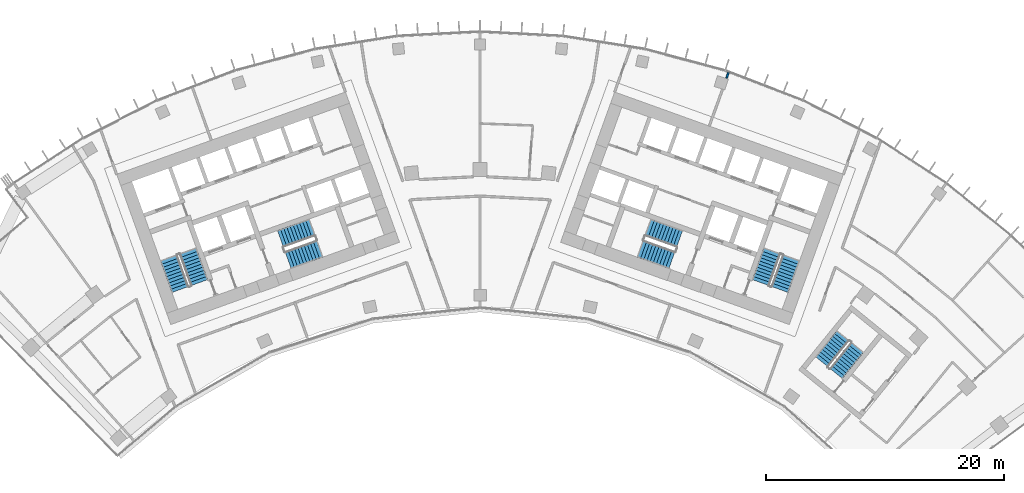
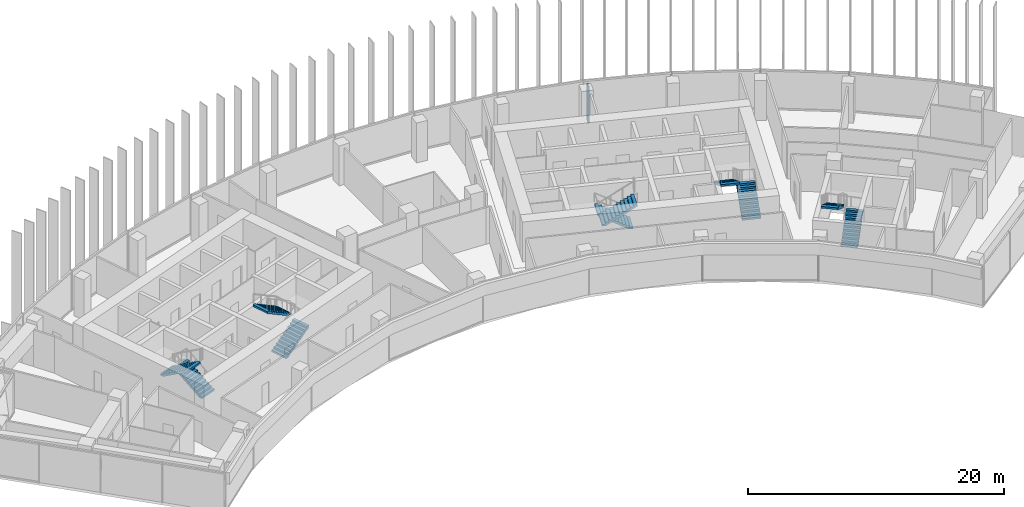
# One storey, part 18 of 19: 10 stair flights, 1 wall, 5 elements without a shape of their own.
"""IFC4 building model written with IfcOpenShell, lengths in metres."""

from ifc_helpers import new_model, si_unit, direction, frame, frame_2d, origin, place, context, subcontext, project, spatial, polyline, rectangle, outline, extrude, material, layer, layer_set, type_object, element, aggregate, save


model = new_model("IFC4")

# Units and contexts
model_context = context("Model", 3, precision=1e-05, world=origin(), true_north=direction((0.0, 1.0)))
body_context = subcontext(model_context, "Body", "Model", "MODEL_VIEW")
ifc_project = project(units=[si_unit("LENGTHUNIT", "METRE"), si_unit("AREAUNIT", "SQUARE_METRE"), si_unit("VOLUMEUNIT", "CUBIC_METRE"), si_unit("PLANEANGLEUNIT", "RADIAN"), si_unit("MASSUNIT", "GRAM", prefix="KILO")], contexts=[model_context])

# Site, building, storey
site_placement = place(None, origin())
site = spatial("IfcSite", under=ifc_project, at=site_placement, CompositionType="ELEMENT")
building_placement = place(site_placement, origin())
building = spatial("IfcBuilding", under=site, at=building_placement, Name="Stone Belt Terrace Tower", CompositionType="ELEMENT")
storey_placement = place(building_placement, frame((0.0, 0.0, 223.800048828125)))
storey = spatial("IfcBuildingStorey", under=building, at=storey_placement, Name="L54", CompositionType="ELEMENT", Elevation=223.800048828125)

# Wall
ifc_material_1 = material(Name="Gypsum board partition")
ifc_layer = layer(ifc_material_1, 0.14990234375)
ifc_layer_set = layer_set([ifc_layer], Name="PARTITION 150 EI 60")
wall_type = type_object("IfcWallType", Name="PARTITION 150 EI 60", PredefinedType="PARTITIONING", material=ifc_layer_set)
wall_placement = place(storey_placement, frame((20.850830078125, 63.129150390625, 0.0), z_axis=(0.0, 0.0, 1.0), x_axis=(-0.338454301599, -0.940982829667, 0.0)))
element("IfcWall", 1, at=wall_placement, inside=storey, type_object=wall_type, Name="L54/wall/i030", PredefinedType="PARTITIONING", context=body_context, shape_type="SweptSolid", body=[
    extrude(rectangle(XDim=0.489013671875, YDim=0.14990234375, at=frame_2d((0.24462890625, 0.0))), origin(), (0.0, 0.0, 1.0), 3.47998046875),
])

# Stair, stair flights
ifc_material_2 = material(Name="Concrete B40", Category="concrete")
stair_type = type_object("IfcStairType", Name="Exit stair 1500", PredefinedType="HALF_TURN_STAIR", material=ifc_material_2)
stair_1_placement = place(storey_placement, origin())
stair_1 = element("IfcStair", 2, at=stair_1_placement, inside=storey, type_object=stair_type, Name="L54 Exit stair 1 core A", PredefinedType="HALF_TURN_STAIR")
stair_flight_type = type_object("IfcStairFlightType", Name="Stair flight 1500", PredefinedType="STRAIGHT", material=ifc_material_2)
stair_flight_1_placement = place(storey_placement, frame((-23.55322265625, 45.51318359375, 0.0), z_axis=(0.0, 0.0, 1.0), x_axis=(-0.338624396177, 0.940921632398, 0.0)))
stair_flight_1 = element("IfcStairFlight", 3, at=stair_flight_1_placement, type_object=stair_flight_type, Name="ST1A flight 1", NumberOfRisers=11, NumberOfTreads=10, PredefinedType="STRAIGHT", RiserHeight=0.172727273, TreadLength=0.28, context=body_context, shape_type="SweptSolid", body=[
    extrude(outline(polyline([(0.0, 0.0), (0.0, 0.172607421875), (0.280029296875, 0.172607421875), (0.280029296875, 0.345458984375), (0.56005859375, 0.345458984375), (0.56005859375, 0.51806640625), (0.840087890625, 0.51806640625), (0.840087890625, 0.69091796875), (1.1201171875, 0.69091796875), (1.1201171875, 0.863525390625), (1.39990234375, 0.863525390625), (1.39990234375, 1.036376953125), (1.679931640625, 1.036376953125), (1.679931640625, 1.208984375), (1.9599609375, 1.208984375), (1.9599609375, 1.3818359375), (2.239990234375, 1.3818359375), (2.239990234375, 1.554443359375), (2.52001953125, 1.554443359375), (2.52001953125, 1.727294921875), (2.800048828125, 1.727294921875), (2.800048828125, 1.89990234375), (2.800048828125, 1.551025390625), (0.285400390625, 0.0), (0.0, 0.0)])), frame((0.0, 0.75, 0.0), z_axis=(0.0, -1.0, 0.0), x_axis=(1.0, 0.0, 0.0)), (0.0, 0.0, 1.0), 1.5),
])
stair_flight_2_placement = place(storey_placement, frame((-26.10107421875, 47.572021484375, 1.89990234375), z_axis=(0.0, 0.0, 1.0), x_axis=(0.338624396177, -0.940921632398, 0.0)))
stair_flight_2 = element("IfcStairFlight", 4, at=stair_flight_2_placement, type_object=stair_flight_type, Name="ST1A flight 2", NumberOfRisers=11, NumberOfTreads=10, PredefinedType="STRAIGHT", RiserHeight=0.172727273, TreadLength=0.28, context=body_context, shape_type="SweptSolid", body=[
    extrude(outline(polyline([(0.0, 0.0), (0.0, 0.172607421875), (0.280029296875, 0.172607421875), (0.280029296875, 0.345458984375), (0.56005859375, 0.345458984375), (0.56005859375, 0.51806640625), (0.840087890625, 0.51806640625), (0.840087890625, 0.69091796875), (1.1201171875, 0.69091796875), (1.1201171875, 0.863525390625), (1.39990234375, 0.863525390625), (1.39990234375, 1.036376953125), (1.679931640625, 1.036376953125), (1.679931640625, 1.208984375), (1.9599609375, 1.208984375), (1.9599609375, 1.3818359375), (2.239990234375, 1.3818359375), (2.239990234375, 1.554443359375), (2.52001953125, 1.554443359375), (2.52001953125, 1.727294921875), (2.800048828125, 1.727294921875), (2.800048828125, 1.89990234375), (2.800048828125, 1.551025390625), (0.285400390625, 0.0), (0.0, 0.0)])), frame((0.0, 0.75, 0.0), z_axis=(0.0, -1.0, 0.0), x_axis=(1.0, 0.0, 0.0)), (0.0, 0.0, 1.0), 1.5),
])
aggregate(stair_1, [stair_flight_1, stair_flight_2])

stair_2_placement = place(storey_placement, origin())
stair_2 = element("IfcStair", 5, at=stair_2_placement, inside=storey, type_object=stair_type, Name="L54 Exit stair 2 core A", PredefinedType="HALF_TURN_STAIR")
stair_flight_3_placement = place(storey_placement, frame((-16.101318359375, 47.39794921875, 0.0), z_axis=(0.0, 0.0, 1.0), x_axis=(0.940921632398, 0.338624396177, 0.0)))
stair_flight_3 = element("IfcStairFlight", 6, at=stair_flight_3_placement, type_object=stair_flight_type, Name="ST2A flight 1", NumberOfRisers=11, NumberOfTreads=10, PredefinedType="STRAIGHT", RiserHeight=0.172727273, TreadLength=0.28, context=body_context, shape_type="SweptSolid", body=[
    extrude(outline(polyline([(0.0, 0.0), (0.0, 0.172607421875), (0.280029296875, 0.172607421875), (0.280029296875, 0.345458984375), (0.56005859375, 0.345458984375), (0.56005859375, 0.51806640625), (0.840087890625, 0.51806640625), (0.840087890625, 0.69091796875), (1.1201171875, 0.69091796875), (1.1201171875, 0.863525390625), (1.39990234375, 0.863525390625), (1.39990234375, 1.036376953125), (1.679931640625, 1.036376953125), (1.679931640625, 1.208984375), (1.9599609375, 1.208984375), (1.9599609375, 1.3818359375), (2.239990234375, 1.3818359375), (2.239990234375, 1.554443359375), (2.52001953125, 1.554443359375), (2.52001953125, 1.727294921875), (2.800048828125, 1.727294921875), (2.800048828125, 1.89990234375), (2.800048828125, 1.551025390625), (0.285400390625, 0.0), (0.0, 0.0)])), frame((0.0, 0.75, 0.0), z_axis=(0.0, -1.0, 0.0), x_axis=(1.0, 0.0, 0.0)), (0.0, 0.0, 1.0), 1.5),
])
stair_flight_4_placement = place(storey_placement, frame((-14.110107421875, 50.1337890625, 1.89990234375), z_axis=(0.0, 0.0, 1.0), x_axis=(-0.940921632398, -0.338624396177, 0.0)))
stair_flight_4 = element("IfcStairFlight", 7, at=stair_flight_4_placement, type_object=stair_flight_type, Name="ST2A flight 2", NumberOfRisers=11, NumberOfTreads=10, PredefinedType="STRAIGHT", RiserHeight=0.172727273, TreadLength=0.28, context=body_context, shape_type="SweptSolid", body=[
    extrude(outline(polyline([(0.0, 0.0), (0.0, 0.172607421875), (0.280029296875, 0.172607421875), (0.280029296875, 0.345458984375), (0.56005859375, 0.345458984375), (0.56005859375, 0.51806640625), (0.840087890625, 0.51806640625), (0.840087890625, 0.69091796875), (1.1201171875, 0.69091796875), (1.1201171875, 0.863525390625), (1.39990234375, 0.863525390625), (1.39990234375, 1.036376953125), (1.679931640625, 1.036376953125), (1.679931640625, 1.208984375), (1.9599609375, 1.208984375), (1.9599609375, 1.3818359375), (2.239990234375, 1.3818359375), (2.239990234375, 1.554443359375), (2.52001953125, 1.554443359375), (2.52001953125, 1.727294921875), (2.800048828125, 1.727294921875), (2.800048828125, 1.89990234375), (2.800048828125, 1.551025390625), (0.285400390625, 0.0), (0.0, 0.0)])), frame((0.0, 0.75, 0.0), z_axis=(0.0, -1.0, 0.0), x_axis=(1.0, 0.0, 0.0)), (0.0, 0.0, 1.0), 1.5),
])
aggregate(stair_2, [stair_flight_3, stair_flight_4])

stair_3_placement = place(storey_placement, origin())
stair_3 = element("IfcStair", 8, at=stair_3_placement, inside=storey, type_object=stair_type, Name="L54 Exit stair 1 core B", PredefinedType="HALF_TURN_STAIR")
stair_flight_5_placement = place(storey_placement, frame((25.15283203125, 44.9375, 0.0), z_axis=(0.0, 0.0, 1.0), x_axis=(0.338624396177, 0.940921632398, 0.0)))
stair_flight_5 = element("IfcStairFlight", 9, at=stair_flight_5_placement, type_object=stair_flight_type, Name="ST1B flight 1", NumberOfRisers=11, NumberOfTreads=10, PredefinedType="STRAIGHT", RiserHeight=0.172727273, TreadLength=0.28, context=body_context, shape_type="SweptSolid", body=[
    extrude(outline(polyline([(0.0, 0.0), (0.0, 0.172607421875), (0.280029296875, 0.172607421875), (0.280029296875, 0.345458984375), (0.56005859375, 0.345458984375), (0.56005859375, 0.51806640625), (0.840087890625, 0.51806640625), (0.840087890625, 0.69091796875), (1.1201171875, 0.69091796875), (1.1201171875, 0.863525390625), (1.39990234375, 0.863525390625), (1.39990234375, 1.036376953125), (1.679931640625, 1.036376953125), (1.679931640625, 1.208984375), (1.9599609375, 1.208984375), (1.9599609375, 1.3818359375), (2.239990234375, 1.3818359375), (2.239990234375, 1.554443359375), (2.52001953125, 1.554443359375), (2.52001953125, 1.727294921875), (2.800048828125, 1.727294921875), (2.800048828125, 1.89990234375), (2.800048828125, 1.551025390625), (0.285400390625, 0.0), (0.0, 0.0)])), frame((0.0, 0.75, 0.0), z_axis=(0.0, -1.0, 0.0), x_axis=(1.0, 0.0, 0.0)), (0.0, 0.0, 1.0), 1.5),
])
stair_flight_6_placement = place(storey_placement, frame((24.50146484375, 48.147705078125, 1.89990234375), z_axis=(0.0, 0.0, 1.0), x_axis=(-0.338624396177, -0.940921632398, 0.0)))
stair_flight_6 = element("IfcStairFlight", 10, at=stair_flight_6_placement, type_object=stair_flight_type, Name="ST1B flight 2", NumberOfRisers=11, NumberOfTreads=10, PredefinedType="STRAIGHT", RiserHeight=0.172727273, TreadLength=0.28, context=body_context, shape_type="SweptSolid", body=[
    extrude(outline(polyline([(0.0, 0.0), (0.0, 0.172607421875), (0.280029296875, 0.172607421875), (0.280029296875, 0.345458984375), (0.56005859375, 0.345458984375), (0.56005859375, 0.51806640625), (0.840087890625, 0.51806640625), (0.840087890625, 0.69091796875), (1.1201171875, 0.69091796875), (1.1201171875, 0.863525390625), (1.39990234375, 0.863525390625), (1.39990234375, 1.036376953125), (1.679931640625, 1.036376953125), (1.679931640625, 1.208984375), (1.9599609375, 1.208984375), (1.9599609375, 1.3818359375), (2.239990234375, 1.3818359375), (2.239990234375, 1.554443359375), (2.52001953125, 1.554443359375), (2.52001953125, 1.727294921875), (2.800048828125, 1.727294921875), (2.800048828125, 1.89990234375), (2.800048828125, 1.551025390625), (0.285400390625, 0.0), (0.0, 0.0)])), frame((0.0, 0.75, 0.0), z_axis=(0.0, -1.0, 0.0), x_axis=(1.0, 0.0, 0.0)), (0.0, 0.0, 1.0), 1.5),
])
aggregate(stair_3, [stair_flight_5, stair_flight_6])

stair_4_placement = place(storey_placement, origin())
stair_4 = element("IfcStair", 11, at=stair_4_placement, inside=storey, type_object=stair_type, Name="L54 Exit stair 2 core B", PredefinedType="HALF_TURN_STAIR")
stair_flight_7_placement = place(storey_placement, frame((16.74462890625, 49.185546875, 0.0), z_axis=(0.0, 0.0, 1.0), x_axis=(-0.940921632398, 0.338624396177, 0.0)))
stair_flight_7 = element("IfcStairFlight", 12, at=stair_flight_7_placement, type_object=stair_flight_type, Name="ST2B flight 1", NumberOfRisers=11, NumberOfTreads=10, PredefinedType="STRAIGHT", RiserHeight=0.172727273, TreadLength=0.28, context=body_context, shape_type="SweptSolid", body=[
    extrude(outline(polyline([(0.0, 0.0), (0.0, 0.172607421875), (0.280029296875, 0.172607421875), (0.280029296875, 0.345458984375), (0.56005859375, 0.345458984375), (0.56005859375, 0.51806640625), (0.840087890625, 0.51806640625), (0.840087890625, 0.69091796875), (1.1201171875, 0.69091796875), (1.1201171875, 0.863525390625), (1.39990234375, 0.863525390625), (1.39990234375, 1.036376953125), (1.679931640625, 1.036376953125), (1.679931640625, 1.208984375), (1.9599609375, 1.208984375), (1.9599609375, 1.3818359375), (2.239990234375, 1.3818359375), (2.239990234375, 1.554443359375), (2.52001953125, 1.554443359375), (2.52001953125, 1.727294921875), (2.800048828125, 1.727294921875), (2.800048828125, 1.89990234375), (2.800048828125, 1.551025390625), (0.285400390625, 0.0), (0.0, 0.0)])), frame((0.0, 0.75, 0.0), z_axis=(0.0, -1.0, 0.0), x_axis=(1.0, 0.0, 0.0)), (0.0, 0.0, 1.0), 1.5),
])
stair_flight_8_placement = place(storey_placement, frame((13.466796875, 48.345947265625, 1.89990234375), z_axis=(0.0, 0.0, 1.0), x_axis=(0.940921632398, -0.338624396177, 0.0)))
stair_flight_8 = element("IfcStairFlight", 13, at=stair_flight_8_placement, type_object=stair_flight_type, Name="ST2B flight 2", NumberOfRisers=11, NumberOfTreads=10, PredefinedType="STRAIGHT", RiserHeight=0.172727273, TreadLength=0.28, context=body_context, shape_type="SweptSolid", body=[
    extrude(outline(polyline([(0.0, 0.0), (0.0, 0.172607421875), (0.280029296875, 0.172607421875), (0.280029296875, 0.345458984375), (0.56005859375, 0.345458984375), (0.56005859375, 0.51806640625), (0.840087890625, 0.51806640625), (0.840087890625, 0.69091796875), (1.1201171875, 0.69091796875), (1.1201171875, 0.863525390625), (1.39990234375, 0.863525390625), (1.39990234375, 1.036376953125), (1.679931640625, 1.036376953125), (1.679931640625, 1.208984375), (1.9599609375, 1.208984375), (1.9599609375, 1.3818359375), (2.239990234375, 1.3818359375), (2.239990234375, 1.554443359375), (2.52001953125, 1.554443359375), (2.52001953125, 1.727294921875), (2.800048828125, 1.727294921875), (2.800048828125, 1.89990234375), (2.800048828125, 1.551025390625), (0.285400390625, 0.0), (0.0, 0.0)])), frame((0.0, 0.75, 0.0), z_axis=(0.0, -1.0, 0.0), x_axis=(1.0, 0.0, 0.0)), (0.0, 0.0, 1.0), 1.5),
])
aggregate(stair_4, [stair_flight_7, stair_flight_8])

stair_5_placement = place(storey_placement, origin())
stair_5 = element("IfcStair", 14, at=stair_5_placement, inside=storey, type_object=stair_type, Name="L54 Exit stair 3B", PredefinedType="HALF_TURN_STAIR")
stair_flight_9_placement = place(storey_placement, frame((29.88330078125, 37.887939453125, 0.0), z_axis=(0.0, 0.0, 1.0), x_axis=(0.630205749599, 0.776428176441, 0.0)))
stair_flight_9 = element("IfcStairFlight", 15, at=stair_flight_9_placement, type_object=stair_flight_type, Name="ST3B flight 1", NumberOfRisers=11, NumberOfTreads=10, PredefinedType="STRAIGHT", RiserHeight=0.172727273, TreadLength=0.28, context=body_context, shape_type="SweptSolid", body=[
    extrude(outline(polyline([(0.0, 0.0), (0.0, 0.172607421875), (0.280029296875, 0.172607421875), (0.280029296875, 0.345458984375), (0.56005859375, 0.345458984375), (0.56005859375, 0.51806640625), (0.840087890625, 0.51806640625), (0.840087890625, 0.69091796875), (1.1201171875, 0.69091796875), (1.1201171875, 0.863525390625), (1.39990234375, 0.863525390625), (1.39990234375, 1.036376953125), (1.679931640625, 1.036376953125), (1.679931640625, 1.208984375), (1.9599609375, 1.208984375), (1.9599609375, 1.3818359375), (2.239990234375, 1.3818359375), (2.239990234375, 1.554443359375), (2.52001953125, 1.554443359375), (2.52001953125, 1.727294921875), (2.800048828125, 1.727294921875), (2.800048828125, 1.89990234375), (2.800048828125, 1.551025390625), (0.285400390625, 0.0), (0.0, 0.0)])), frame((0.0, 0.675048828125, 0.0), z_axis=(0.0, -1.0, 0.0), x_axis=(1.0, 0.0, 0.0)), (0.0, 0.0, 1.0), 1.35009765625),
])
stair_flight_10_placement = place(storey_placement, frame((30.4443359375, 41.038818359375, 1.89990234375), z_axis=(0.0, 0.0, 1.0), x_axis=(-0.630205749599, -0.776428176441, 0.0)))
stair_flight_10 = element("IfcStairFlight", 16, at=stair_flight_10_placement, type_object=stair_flight_type, Name="ST3B flight 2", NumberOfRisers=11, NumberOfTreads=10, PredefinedType="STRAIGHT", RiserHeight=0.172727273, TreadLength=0.28, context=body_context, shape_type="SweptSolid", body=[
    extrude(outline(polyline([(0.0, 0.0), (0.0, 0.172607421875), (0.280029296875, 0.172607421875), (0.280029296875, 0.345458984375), (0.56005859375, 0.345458984375), (0.56005859375, 0.51806640625), (0.840087890625, 0.51806640625), (0.840087890625, 0.69091796875), (1.1201171875, 0.69091796875), (1.1201171875, 0.863525390625), (1.39990234375, 0.863525390625), (1.39990234375, 1.036376953125), (1.679931640625, 1.036376953125), (1.679931640625, 1.208984375), (1.9599609375, 1.208984375), (1.9599609375, 1.3818359375), (2.239990234375, 1.3818359375), (2.239990234375, 1.554443359375), (2.52001953125, 1.554443359375), (2.52001953125, 1.727294921875), (2.800048828125, 1.727294921875), (2.800048828125, 1.89990234375), (2.800048828125, 1.551025390625), (0.285400390625, 0.0), (0.0, 0.0)])), frame((0.0, 0.675048828125, 0.0), z_axis=(0.0, -1.0, 0.0), x_axis=(1.0, 0.0, 0.0)), (0.0, 0.0, 1.0), 1.35009765625),
])
aggregate(stair_5, [stair_flight_9, stair_flight_10])

save(model, "model.ifc")
